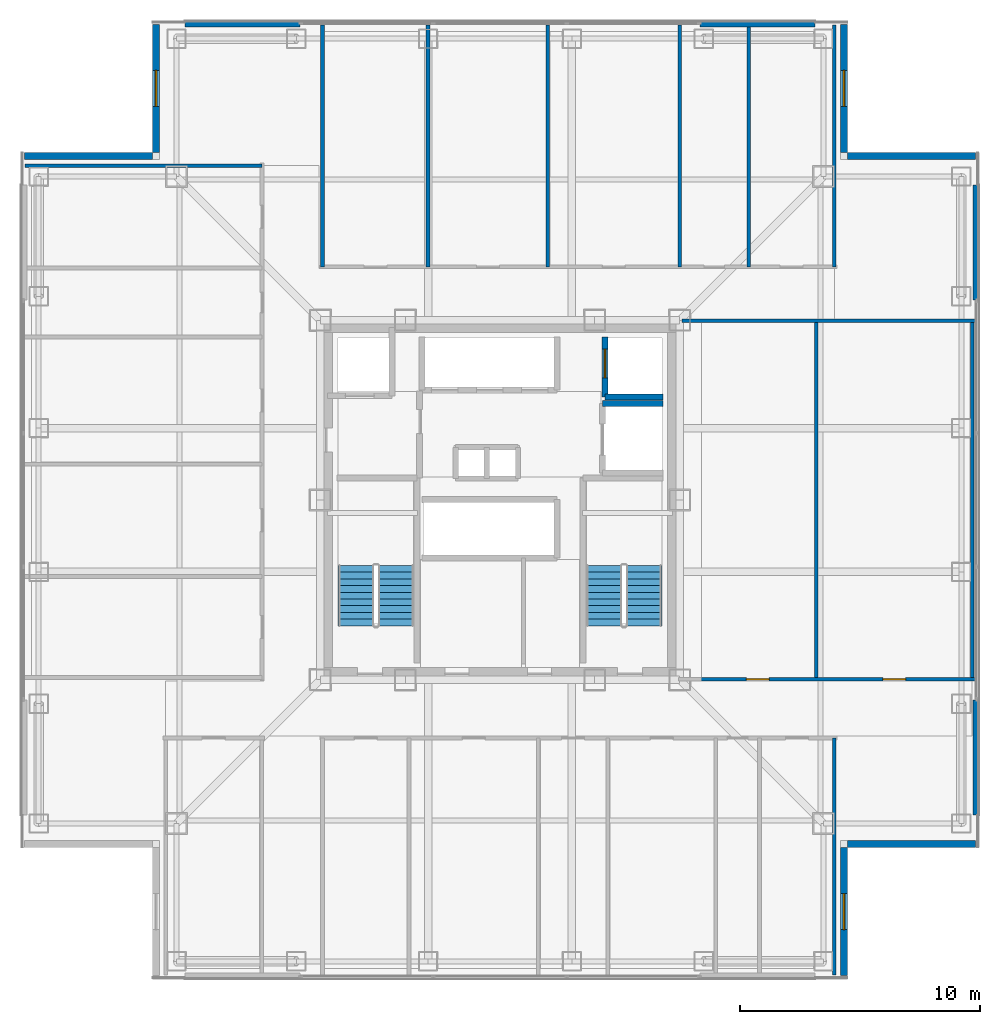
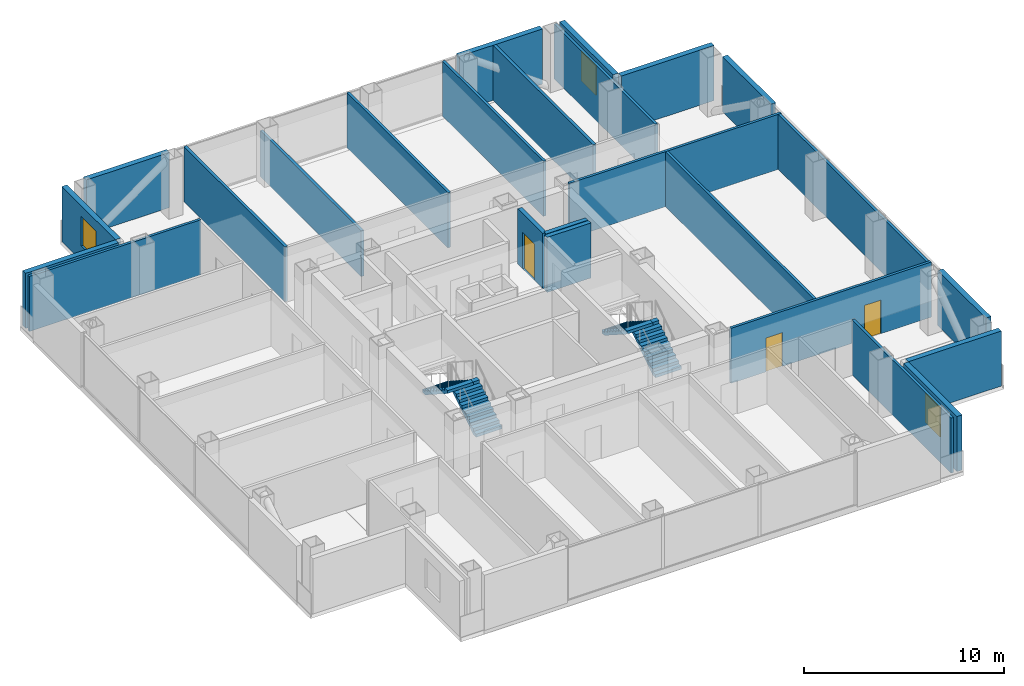
# One storey, part 11 of 17: 25 walls, 4 stair flights, 3 doors, 3 windows, 6 openings, 2 elements without a shape of their own.
"""IFC4 building model written with IfcOpenShell, lengths in metres."""

from ifc_helpers import new_model, si_unit, direction, frame, frame_2d, origin, place, context, subcontext, project, spatial, polyline, rectangle, outline, extrude, material, layer, layer_set, type_object, element, fill, aggregate, save


model = new_model("IFC4")

# Units and contexts
model_context = context("Model", 3, precision=1e-05, world=origin(), true_north=direction((0.0, 1.0)))
body_context = subcontext(model_context, "Body", "Model", "MODEL_VIEW")
ifc_project = project(units=[si_unit("LENGTHUNIT", "METRE"), si_unit("AREAUNIT", "SQUARE_METRE"), si_unit("VOLUMEUNIT", "CUBIC_METRE"), si_unit("PLANEANGLEUNIT", "RADIAN"), si_unit("MASSUNIT", "GRAM", prefix="KILO")], contexts=[model_context])

# Site, building, storey
site_placement = place(None, origin())
site = spatial("IfcSite", under=ifc_project, at=site_placement, CompositionType="ELEMENT")
building_placement = place(site_placement, origin())
building = spatial("IfcBuilding", under=site, at=building_placement, Name="Trevonay Congress Spire", CompositionType="ELEMENT")
storey_placement = place(building_placement, frame((0.0, 0.0, 169.800048828125)))
storey = spatial("IfcBuildingStorey", under=building, at=storey_placement, Name="L43", CompositionType="ELEMENT", Elevation=169.800048828125)

# Wall, openings, doors
ifc_material_1 = material(Name="Concrete C40/50", Category="concrete")
ifc_layer_1 = layer(ifc_material_1, 0.14990234375, Name="Concrete C40/50")
ifc_layer_set_1 = layer_set([ifc_layer_1], Name="Concrete C40/50")
wall_type_1 = type_object("IfcWallType", Name="WAL-CORR-150", PredefinedType="PARTITIONING", material=ifc_layer_set_1)
wall_1_placement = place(storey_placement, frame((8.280029296875, -7.47998046875, 0.0), z_axis=(0.0, 0.0, 1.0), x_axis=(1.0, 0.0, 0.0)))
wall_1 = element("IfcWall", 1, at=wall_1_placement, inside=storey, type_object=wall_type_1, Name="L43 interior wall WP-L43E-COR", PredefinedType="PARTITIONING", context=body_context, shape_type="SweptSolid", body=[
    extrude(rectangle(XDim=11.5400390625, YDim=0.14990234375, at=frame_2d((5.77001953125, 0.0))), origin(), (0.0, 0.0, 1.0), 3.35986328125),
])
opening_1_placement = place(wall_1_placement, frame((2.0048828125, 0.0, 0.0)))
opening_1 = element("IfcOpeningElement", 2, at=opening_1_placement, cuts=wall_1, Name="Opening D07", PredefinedType="OPENING", context=body_context, shape_type="SweptSolid", body=[
    extrude(rectangle(XDim=0.949951171875, YDim=2.06005859375, at=frame_2d((0.47509765625, 1.030029296875))), frame((0.0, 0.0849609375, 0.0), z_axis=(0.0, -1.0, 0.0), x_axis=(1.0, 0.0, 0.0)), (0.0, 0.0, 1.0), 0.169921875),
])
opening_2_placement = place(wall_1_placement, frame((7.695068359375, 0.0, 0.0)))
opening_2 = element("IfcOpeningElement", 3, at=opening_2_placement, cuts=wall_1, Name="Opening D07", PredefinedType="OPENING", context=body_context, shape_type="SweptSolid", body=[
    extrude(rectangle(XDim=0.949951171875, YDim=2.06005859375, at=frame_2d((0.47509765625, 1.030029296875))), frame((0.0, 0.0849609375, 0.0), z_axis=(0.0, -1.0, 0.0), x_axis=(1.0, 0.0, 0.0)), (0.0, 0.0, 1.0), 0.169921875),
])
ifc_material_2 = material(Name="Pale Anodised Aluminium EN AW-6063-T6", Category="aluminium")
door_type_1 = type_object("IfcDoorType", Name="DOR-OFFICE-95", OperationType="NOTDEFINED", PredefinedType="DOOR", material=ifc_material_2)
door_1_placement = place(opening_1_placement, origin())
door_1 = element("IfcDoor", 4, at=door_1_placement, inside=storey, type_object=door_type_1, Name="L43 Chambers Espresso Kitchen Door", OperationType="SINGLE_SWING_RIGHT", OverallHeight=2.06005859375, OverallWidth=0.949951171875, PredefinedType="DOOR", context=body_context, shape_type="SweptSolid", body=[
    extrude(rectangle(XDim=0.949951171875, YDim=2.06005859375, at=frame_2d((0.47509765625, 1.030029296875))), frame((0.0, 0.02490234375, 0.0), z_axis=(0.0, -1.0, 0.0), x_axis=(1.0, 0.0, 0.0)), (0.0, 0.0, 1.0), 0.050048828125),
])
fill(opening_1, door_1)
door_2_placement = place(opening_2_placement, origin())
door_2 = element("IfcDoor", 5, at=door_2_placement, inside=storey, type_object=door_type_1, Name="L43 Law Copy Room Door", OperationType="SINGLE_SWING_LEFT", OverallHeight=2.06005859375, OverallWidth=0.949951171875, PredefinedType="DOOR", context=body_context, shape_type="SweptSolid", body=[
    extrude(rectangle(XDim=0.949951171875, YDim=2.06005859375, at=frame_2d((0.47509765625, 1.030029296875))), frame((0.0, 0.02490234375, 0.0), z_axis=(0.0, -1.0, 0.0), x_axis=(1.0, 0.0, 0.0)), (0.0, 0.0, 1.0), 0.050048828125),
])
fill(opening_2, door_2)

# Walls
ifc_material_3 = material(Name="Precast concrete C40/50", Category="concrete")
ifc_layer_2 = layer(ifc_material_3, 0.300048828125, Name="Precast concrete C40/50")
ifc_layer_set_2 = layer_set([ifc_layer_2], Name="Precast concrete C40/50")
wall_type_2 = type_object("IfcWallType", Name="WAL-EXT-PRECAST-300", PredefinedType="SOLIDWALL", material=ifc_layer_set_2)
for number, where, z_axis, x_axis, name in (
    (6, (-13.14990234375, 19.8798828125, 0.0), (0.0, 0.0, 1.0), (1.0, 0.0, 0.0), "L43 NL braced-bay exterior pier wall"),
    (7, (8.35009765625, 19.8798828125, 0.0), (0.0, 0.0, 1.0), (1.0, 0.0, 0.0), "L43 NR braced-bay exterior pier wall"),
    (8, (19.8798828125, -13.14990234375, 0.0), (0.0, 0.0, 1.0), (0.0, 1.0, 0.0), "L43 EL braced-bay exterior pier wall"),
    (9, (19.8798828125, 8.35009765625, 0.0), (0.0, 0.0, 1.0), (0.0, 1.0, 0.0), "L43 ER braced-bay exterior pier wall"),
):
    element("IfcWall", number, at=place(storey_placement, frame(where, z_axis=z_axis, x_axis=x_axis)), inside=storey, type_object=wall_type_2, Name=name, PredefinedType="SOLIDWALL", context=body_context, shape_type="SweptSolid", body=[
        extrude(rectangle(XDim=4.7998046875, YDim=0.300048828125, at=frame_2d((2.39990234375, 0.0))), origin(), (0.0, 0.0, 1.0), 3.35986328125),
    ])

# Wall, opening, window
wall_2_placement = place(storey_placement, frame((14.35009765625, -19.85009765625, 0.0), z_axis=(0.0, 0.0, 1.0), x_axis=(0.0, 1.0, 0.0)))
wall_2 = element("IfcWall", 10, at=wall_2_placement, inside=storey, type_object=wall_type_2, Name="L43 SE re-entrant notch exterior wall 1", PredefinedType="SOLIDWALL", context=body_context, shape_type="SweptSolid", body=[
    extrude(rectangle(XDim=5.35009765625, YDim=0.300048828125, at=frame_2d((2.675048828125, 0.0))), origin(), (0.0, 0.0, 1.0), 3.35986328125),
])
opening_3_placement = place(wall_2_placement, frame((1.925048828125, 0.0, 0.89990234375)))
opening_3 = element("IfcOpeningElement", 11, at=opening_3_placement, cuts=wall_2, Name="Opening WN03", PredefinedType="OPENING", context=body_context, shape_type="SweptSolid", body=[
    extrude(rectangle(XDim=1.5, YDim=1.800048828125, at=frame_2d((0.75, 0.89990234375))), frame((0.0, 0.16015625, 0.0), z_axis=(0.0, -1.0, 0.0), x_axis=(1.0, 0.0, 0.0)), (0.0, 0.0, 1.0), 0.320068359375),
])
ifc_material_4 = material(Name="Insulated Low-E Vision Glass IGU", Category="glass")
window_type = type_object("IfcWindowType", Name="WIN-NOTCH-150X180", PartitioningType="SINGLE_PANEL", PredefinedType="WINDOW", material=ifc_material_4)
window_1_placement = place(opening_3_placement, origin())
window_1 = element("IfcWindow", 12, at=window_1_placement, inside=storey, type_object=window_type, Name="L43 SE corner notch window", OverallHeight=1.800048828125, OverallWidth=1.5, PartitioningType="SINGLE_PANEL", PredefinedType="WINDOW", context=body_context, shape_type="SweptSolid", body=[
    extrude(rectangle(XDim=1.5, YDim=1.800048828125, at=frame_2d((0.75, 0.89990234375))), frame((0.0, 0.030029296875, 0.0), z_axis=(0.0, -1.0, 0.0), x_axis=(1.0, 0.0, 0.0)), (0.0, 0.0, 1.0), 0.06005859375),
])
fill(opening_3, window_1)

# Wall
wall_3_placement = place(storey_placement, frame((19.85009765625, -14.35009765625, 0.0), z_axis=(0.0, 0.0, 1.0), x_axis=(-1.0, 0.0, 0.0)))
element("IfcWall", 13, at=wall_3_placement, inside=storey, type_object=wall_type_2, Name="L43 SE re-entrant notch exterior wall 2", PredefinedType="SOLIDWALL", context=body_context, shape_type="SweptSolid", body=[
    extrude(rectangle(XDim=5.35009765625, YDim=0.300048828125, at=frame_2d((2.675048828125, 0.0))), origin(), (0.0, 0.0, 1.0), 3.35986328125),
])

# Wall, opening, window
wall_4_placement = place(storey_placement, frame((14.35009765625, 19.85009765625, 0.0), z_axis=(0.0, 0.0, 1.0), x_axis=(0.0, -1.0, 0.0)))
wall_4 = element("IfcWall", 14, at=wall_4_placement, inside=storey, type_object=wall_type_2, Name="L43 NE re-entrant notch exterior wall 1", PredefinedType="SOLIDWALL", context=body_context, shape_type="SweptSolid", body=[
    extrude(rectangle(XDim=5.35009765625, YDim=0.300048828125, at=frame_2d((2.675048828125, 0.0))), origin(), (0.0, 0.0, 1.0), 3.35986328125),
])
opening_4_placement = place(wall_4_placement, frame((1.925048828125, 0.0, 0.89990234375)))
opening_4 = element("IfcOpeningElement", 15, at=opening_4_placement, cuts=wall_4, Name="Opening WN03", PredefinedType="OPENING", context=body_context, shape_type="SweptSolid", body=[
    extrude(rectangle(XDim=1.5, YDim=1.800048828125, at=frame_2d((0.75, 0.89990234375))), frame((0.0, 0.16015625, 0.0), z_axis=(0.0, -1.0, 0.0), x_axis=(1.0, 0.0, 0.0)), (0.0, 0.0, 1.0), 0.320068359375),
])
window_2_placement = place(opening_4_placement, origin())
window_2 = element("IfcWindow", 16, at=window_2_placement, inside=storey, type_object=window_type, Name="L43 NE corner notch window", OverallHeight=1.800048828125, OverallWidth=1.5, PartitioningType="SINGLE_PANEL", PredefinedType="WINDOW", context=body_context, shape_type="SweptSolid", body=[
    extrude(rectangle(XDim=1.5, YDim=1.800048828125, at=frame_2d((0.75, 0.89990234375))), frame((0.0, 0.030029296875, 0.0), z_axis=(0.0, -1.0, 0.0), x_axis=(1.0, 0.0, 0.0)), (0.0, 0.0, 1.0), 0.06005859375),
])
fill(opening_4, window_2)

# Wall
wall_5_placement = place(storey_placement, frame((19.85009765625, 14.35009765625, 0.0), z_axis=(0.0, 0.0, 1.0), x_axis=(-1.0, 0.0, 0.0)))
element("IfcWall", 17, at=wall_5_placement, inside=storey, type_object=wall_type_2, Name="L43 NE re-entrant notch exterior wall 2", PredefinedType="SOLIDWALL", context=body_context, shape_type="SweptSolid", body=[
    extrude(rectangle(XDim=5.35009765625, YDim=0.300048828125, at=frame_2d((2.675048828125, 0.0))), origin(), (0.0, 0.0, 1.0), 3.35986328125),
])

# Wall, opening, window
wall_6_placement = place(storey_placement, frame((-14.35009765625, 19.85009765625, 0.0), z_axis=(0.0, 0.0, 1.0), x_axis=(0.0, -1.0, 0.0)))
wall_6 = element("IfcWall", 18, at=wall_6_placement, inside=storey, type_object=wall_type_2, Name="L43 NW re-entrant notch exterior wall 1", PredefinedType="SOLIDWALL", context=body_context, shape_type="SweptSolid", body=[
    extrude(rectangle(XDim=5.35009765625, YDim=0.300048828125, at=frame_2d((2.675048828125, 0.0))), origin(), (0.0, 0.0, 1.0), 3.35986328125),
])
opening_5_placement = place(wall_6_placement, frame((1.925048828125, 0.0, 0.89990234375)))
opening_5 = element("IfcOpeningElement", 19, at=opening_5_placement, cuts=wall_6, Name="Opening WN03", PredefinedType="OPENING", context=body_context, shape_type="SweptSolid", body=[
    extrude(rectangle(XDim=1.5, YDim=1.800048828125, at=frame_2d((0.75, 0.89990234375))), frame((0.0, 0.16015625, 0.0), z_axis=(0.0, -1.0, 0.0), x_axis=(1.0, 0.0, 0.0)), (0.0, 0.0, 1.0), 0.320068359375),
])
window_3_placement = place(opening_5_placement, origin())
window_3 = element("IfcWindow", 20, at=window_3_placement, inside=storey, type_object=window_type, Name="L43 NW corner notch window", OverallHeight=1.800048828125, OverallWidth=1.5, PartitioningType="SINGLE_PANEL", PredefinedType="WINDOW", context=body_context, shape_type="SweptSolid", body=[
    extrude(rectangle(XDim=1.5, YDim=1.800048828125, at=frame_2d((0.75, 0.89990234375))), frame((0.0, 0.030029296875, 0.0), z_axis=(0.0, -1.0, 0.0), x_axis=(1.0, 0.0, 0.0)), (0.0, 0.0, 1.0), 0.06005859375),
])
fill(opening_5, window_3)

# Walls
wall_7_placement = place(storey_placement, frame((-19.85009765625, 14.35009765625, 0.0), z_axis=(0.0, 0.0, 1.0), x_axis=(1.0, 0.0, 0.0)))
element("IfcWall", 21, at=wall_7_placement, inside=storey, type_object=wall_type_2, Name="L43 NW re-entrant notch exterior wall 2", PredefinedType="SOLIDWALL", context=body_context, shape_type="SweptSolid", body=[
    extrude(rectangle(XDim=5.35009765625, YDim=0.300048828125, at=frame_2d((2.675048828125, 0.0))), origin(), (0.0, 0.0, 1.0), 3.35986328125),
])
ifc_layer_3 = layer(ifc_material_1, 0.14990234375, Name="Concrete C40/50")
ifc_layer_set_3 = layer_set([ifc_layer_3], Name="Concrete C40/50")
wall_type_3 = type_object("IfcWallType", Name="WAL-PART-150", PredefinedType="PARTITIONING", material=ifc_layer_set_3)
for number, where, z_axis, x_axis, name in (
    (22, (13.949951171875, -19.820068359375, 0.0), (0.0, 0.0, 1.0), (0.0, 1.0, 0.0), "L43 interior wall WP-L43SE-DIV6"),
    (23, (-19.820068359375, 13.949951171875, 0.0), (0.0, 0.0, 1.0), (1.0, 0.0, 0.0), "L43 interior wall WP-L43NW-DIV5"),
):
    element("IfcWall", number, at=place(storey_placement, frame(where, z_axis=z_axis, x_axis=x_axis)), inside=storey, type_object=wall_type_3, Name=name, PredefinedType="PARTITIONING", context=body_context, shape_type="SweptSolid", body=[
        extrude(rectangle(XDim=9.89013671875, YDim=0.14990234375, at=frame_2d((4.945068359375, 0.0))), origin(), (0.0, 0.0, 1.0), 3.35986328125),
    ])
for number, where, z_axis, x_axis, name in (
    (24, (2.0, 9.72998046875, 0.0), (0.0, 0.0, 1.0), (0.0, 1.0, 0.0), "L43 interior wall WP-L43N-DIV3"),
    (25, (7.5, 9.72998046875, 0.0), (0.0, 0.0, 1.0), (0.0, 1.0, 0.0), "L43 interior wall WP-L43N-DIV4"),
    (26, (13.949951171875, 9.72998046875, 0.0), (0.0, 0.0, 1.0), (0.0, 1.0, 0.0), "L43 interior wall WP-L43N-DIV5"),
):
    element("IfcWall", number, at=place(storey_placement, frame(where, z_axis=z_axis, x_axis=x_axis)), inside=storey, type_object=wall_type_3, Name=name, PredefinedType="PARTITIONING", context=body_context, shape_type="SweptSolid", body=[
        extrude(rectangle(XDim=10.090087890625, YDim=0.14990234375, at=frame_2d((5.044921875, 0.0))), origin(), (0.0, 0.0, 1.0), 3.35986328125),
    ])
for number, where, z_axis, x_axis, name in (
    (27, (13.199951171875, -7.47998046875, 0.0), (0.0, 0.0, 1.0), (0.0, 1.0, 0.0), "L43 interior wall WP-L43E-DIV1"),
    (28, (19.699951171875, -7.47998046875, 0.0), (0.0, 0.0, 1.0), (0.0, 1.0, 0.0), "L43 interior wall WP-L43E-DIV2"),
):
    element("IfcWall", number, at=place(storey_placement, frame(where, z_axis=z_axis, x_axis=x_axis)), inside=storey, type_object=wall_type_3, Name=name, PredefinedType="PARTITIONING", context=body_context, shape_type="SweptSolid", body=[
        extrude(rectangle(XDim=14.89990234375, YDim=0.14990234375, at=frame_2d((7.449951171875, 0.0))), origin(), (0.0, 0.0, 1.0), 3.35986328125),
    ])
wall_8_placement = place(storey_placement, frame((7.60009765625, 7.47998046875, 0.0), z_axis=(0.0, 0.0, 1.0), x_axis=(1.0, 0.0, 0.0)))
element("IfcWall", 29, at=wall_8_placement, inside=storey, type_object=wall_type_3, Name="L43 interior wall WP-L43E-NCLS", PredefinedType="PARTITIONING", context=body_context, shape_type="SweptSolid", body=[
    extrude(rectangle(XDim=12.219970703125, YDim=0.14990234375, at=frame_2d((6.10986328125, 0.0))), origin(), (0.0, 0.0, 1.0), 3.35986328125),
])
ifc_layer_4 = layer(ifc_material_1, 0.25, Name="Concrete C40/50")
ifc_layer_set_4 = layer_set([ifc_layer_4], Name="Concrete C40/50")
wall_type_4 = type_object("IfcWallType", Name="WAL-SHAFT-250", PredefinedType="SHEAR", material=ifc_layer_set_4)
wall_9_placement = place(storey_placement, frame((4.3798828125, 4.300048828125, 0.0), z_axis=(0.0, 0.0, 1.0), x_axis=(1.0, 0.0, 0.0)))
element("IfcWall", 30, at=wall_9_placement, inside=storey, type_object=wall_type_4, Name="L43 interior shaft wall WSH-L43-FF2-S", PredefinedType="SHEAR", context=body_context, shape_type="SweptSolid", body=[
    extrude(rectangle(XDim=2.420166015625, YDim=0.25, at=frame_2d((1.2099609375, 0.0))), origin(), (0.0, 0.0, 1.0), 3.35986328125),
])

# Wall, opening, door
wall_10_placement = place(storey_placement, frame((4.3798828125, 4.300048828125, 0.0), z_axis=(0.0, 0.0, 1.0), x_axis=(0.0, 1.0, 0.0)))
wall_10 = element("IfcWall", 31, at=wall_10_placement, inside=storey, type_object=wall_type_4, Name="L43 interior shaft wall WSH-L43-FF2-W", PredefinedType="SHEAR", context=body_context, shape_type="SweptSolid", body=[
    extrude(rectangle(XDim=2.5, YDim=0.25, at=frame_2d((1.25, 0.0))), origin(), (0.0, 0.0, 1.0), 3.35986328125),
])
opening_6_placement = place(wall_10_placement, frame((0.800048828125, 0.0, 0.0)))
opening_6 = element("IfcOpeningElement", 32, at=opening_6_placement, cuts=wall_10, Name="Opening LD04", PredefinedType="OPENING", context=body_context, shape_type="SweptSolid", body=[
    extrude(rectangle(XDim=1.199951171875, YDim=2.199951171875, at=frame_2d((0.60009765625, 1.10009765625))), frame((0.0, 0.135009765625, 0.0), z_axis=(0.0, -1.0, 0.0), x_axis=(1.0, 0.0, 0.0)), (0.0, 0.0, 1.0), 0.27001953125),
])
ifc_material_5 = material(Name="Steel ASTM A572 Grade 50", Category="steel")
door_type_2 = type_object("IfcDoorType", Name="DOR-LIFT-LD04", OperationType="DOUBLE_DOOR_SLIDING", PredefinedType="DOOR", material=ifc_material_5)
door_3_placement = place(opening_6_placement, origin())
door_3 = element("IfcDoor", 33, at=door_3_placement, inside=storey, type_object=door_type_2, Name="L43 Firefighting lift FFL-02 landing door", OperationType="DOUBLE_DOOR_SLIDING", OverallHeight=2.199951171875, OverallWidth=1.199951171875, PredefinedType="DOOR", context=body_context, shape_type="SweptSolid", body=[
    extrude(rectangle(XDim=1.199951171875, YDim=2.199951171875, at=frame_2d((0.60009765625, 1.10009765625))), frame((0.0, 0.02490234375, 0.0), z_axis=(0.0, -1.0, 0.0), x_axis=(1.0, 0.0, 0.0)), (0.0, 0.0, 1.0), 0.050048828125),
])
fill(opening_6, door_3)

# Walls
wall_11_placement = place(storey_placement, frame((4.280029296875, 4.02001953125, 0.0), z_axis=(0.0, 0.0, 1.0), x_axis=(1.0, 0.0, 0.0)))
element("IfcWall", 34, at=wall_11_placement, inside=storey, type_object=wall_type_4, Name="L43 interior shaft wall WSH-L43-SV-N", PredefinedType="SHEAR", context=body_context, shape_type="SweptSolid", body=[
    extrude(rectangle(XDim=2.52001953125, YDim=0.25, at=frame_2d((1.260009765625, 0.0))), origin(), (0.0, 0.0, 1.0), 3.35986328125),
])
ifc_layer_5 = layer(ifc_material_1, 0.1650390625, Name="Concrete C40/50")
ifc_layer_set_5 = layer_set([ifc_layer_5], Name="Concrete C40/50")
wall_type_5 = type_object("IfcWallType", Name="WAL-WET-165", PredefinedType="PLUMBINGWALL", material=ifc_layer_set_5)
for number, where, z_axis, x_axis, name in (
    (35, (10.3798828125, 9.72998046875, 0.0), (0.0, 0.0, 1.0), (0.0, 1.0, 0.0), "L43 interior wall WP-L43N-WCS4"),
    (36, (-7.39990234375, 9.72998046875, 0.0), (0.0, 0.0, 1.0), (0.0, 1.0, 0.0), "L43 interior wall WP-L43N-DIV1"),
):
    element("IfcWall", number, at=place(storey_placement, frame(where, z_axis=z_axis, x_axis=x_axis)), inside=storey, type_object=wall_type_5, Name=name, PredefinedType="PLUMBINGWALL", context=body_context, shape_type="SweptSolid", body=[
        extrude(rectangle(XDim=10.090087890625, YDim=0.1650390625, at=frame_2d((5.044921875, 0.0))), origin(), (0.0, 0.0, 1.0), 3.35986328125),
    ])
wall_12_placement = place(storey_placement, frame((-3.0, 9.72998046875, 0.0), z_axis=(0.0, 0.0, 1.0), x_axis=(0.0, 1.0, 0.0)))
element("IfcWall", 37, at=wall_12_placement, inside=storey, type_object=wall_type_5, Name="L43 interior wall WP-L43N-DIV2", PredefinedType="PLUMBINGWALL", context=body_context, shape_type="SweptSolid", body=[
    extrude(rectangle(XDim=10.090087890625, YDim=0.1650390625, at=frame_2d((5.044921875, 0.0))), origin(), (0.0, 0.0, 1.0), 2.7919921875),
])

# Stair, stair flights
stair_type_1 = type_object("IfcStairType", Name="STR-ST-1", PredefinedType="HALF_TURN_STAIR", material=ifc_material_1)
stair_1_placement = place(storey_placement, origin())
stair_1 = element("IfcStair", 38, at=stair_1_placement, inside=storey, type_object=stair_type_1, Name="L43 Protected Exit Stair ST-1", PredefinedType="HALF_TURN_STAIR")
stair_flight_type_1 = type_object("IfcStairFlightType", Name="SFL-ST-1", PredefinedType="STRAIGHT", material=ifc_material_1)
stair_flight_1_placement = place(storey_placement, frame((-4.35009765625, -5.25, 0.0), z_axis=(0.0, 0.0, 1.0), x_axis=(0.0, 1.0, 0.0)))
stair_flight_1 = element("IfcStairFlight", 39, at=stair_flight_1_placement, type_object=stair_flight_type_1, Name="ST-1 flight 1", NumberOfRisers=10, NumberOfTreads=9, PredefinedType="STRAIGHT", RiserHeight=0.18, TreadLength=0.28, context=body_context, shape_type="SweptSolid", body=[
    extrude(outline(polyline([(0.0, 0.0), (0.0, 0.179931640625), (0.280029296875, 0.179931640625), (0.280029296875, 0.360107421875), (0.56005859375, 0.360107421875), (0.56005859375, 0.5400390625), (0.840087890625, 0.5400390625), (0.840087890625, 0.719970703125), (1.1201171875, 0.719970703125), (1.1201171875, 0.89990234375), (1.39990234375, 0.89990234375), (1.39990234375, 1.080078125), (1.679931640625, 1.080078125), (1.679931640625, 1.260009765625), (1.9599609375, 1.260009765625), (1.9599609375, 1.43994140625), (2.239990234375, 1.43994140625), (2.239990234375, 1.6201171875), (2.52001953125, 1.6201171875), (2.52001953125, 1.800048828125), (2.52001953125, 1.44189453125), (0.277099609375, 0.0), (0.0, 0.0)])), frame((0.0, 0.75, 0.0), z_axis=(0.0, -1.0, 0.0), x_axis=(1.0, 0.0, 0.0)), (0.0, 0.0, 1.0), 1.5),
])
stair_flight_2_placement = place(storey_placement, frame((-6.0, -2.72998046875, 1.800048828125), z_axis=(0.0, 0.0, 1.0), x_axis=(0.0, -1.0, 0.0)))
stair_flight_2 = element("IfcStairFlight", 40, at=stair_flight_2_placement, type_object=stair_flight_type_1, Name="ST-1 flight 2", NumberOfRisers=10, NumberOfTreads=9, PredefinedType="STRAIGHT", RiserHeight=0.18, TreadLength=0.28, context=body_context, shape_type="SweptSolid", body=[
    extrude(outline(polyline([(0.0, 0.0), (0.0, 0.179931640625), (0.280029296875, 0.179931640625), (0.280029296875, 0.360107421875), (0.56005859375, 0.360107421875), (0.56005859375, 0.5400390625), (0.840087890625, 0.5400390625), (0.840087890625, 0.719970703125), (1.1201171875, 0.719970703125), (1.1201171875, 0.89990234375), (1.39990234375, 0.89990234375), (1.39990234375, 1.080078125), (1.679931640625, 1.080078125), (1.679931640625, 1.260009765625), (1.9599609375, 1.260009765625), (1.9599609375, 1.43994140625), (2.239990234375, 1.43994140625), (2.239990234375, 1.6201171875), (2.52001953125, 1.6201171875), (2.52001953125, 1.800048828125), (2.52001953125, 1.44189453125), (0.277099609375, 0.0), (0.0, 0.0)])), frame((0.0, 0.75, 0.0), z_axis=(0.0, -1.0, 0.0), x_axis=(1.0, 0.0, 0.0)), (0.0, 0.0, 1.0), 1.5),
])
aggregate(stair_1, [stair_flight_1, stair_flight_2])

stair_type_2 = type_object("IfcStairType", Name="STR-ST-2", PredefinedType="HALF_TURN_STAIR", material=ifc_material_1)
stair_2_placement = place(storey_placement, origin())
stair_2 = element("IfcStair", 41, at=stair_2_placement, inside=storey, type_object=stair_type_2, Name="L43 Protected Exit Stair ST-2", PredefinedType="HALF_TURN_STAIR")
stair_flight_type_2 = type_object("IfcStairFlightType", Name="SFL-ST-2", PredefinedType="STRAIGHT", material=ifc_material_1)
stair_flight_3_placement = place(storey_placement, frame((6.0, -5.25, 0.0), z_axis=(0.0, 0.0, 1.0), x_axis=(0.0, 1.0, 0.0)))
stair_flight_3 = element("IfcStairFlight", 42, at=stair_flight_3_placement, type_object=stair_flight_type_2, Name="ST-2 flight 1", NumberOfRisers=10, NumberOfTreads=9, PredefinedType="STRAIGHT", RiserHeight=0.18, TreadLength=0.28, context=body_context, shape_type="SweptSolid", body=[
    extrude(outline(polyline([(0.0, 0.0), (0.0, 0.179931640625), (0.280029296875, 0.179931640625), (0.280029296875, 0.360107421875), (0.56005859375, 0.360107421875), (0.56005859375, 0.5400390625), (0.840087890625, 0.5400390625), (0.840087890625, 0.719970703125), (1.1201171875, 0.719970703125), (1.1201171875, 0.89990234375), (1.39990234375, 0.89990234375), (1.39990234375, 1.080078125), (1.679931640625, 1.080078125), (1.679931640625, 1.260009765625), (1.9599609375, 1.260009765625), (1.9599609375, 1.43994140625), (2.239990234375, 1.43994140625), (2.239990234375, 1.6201171875), (2.52001953125, 1.6201171875), (2.52001953125, 1.800048828125), (2.52001953125, 1.44189453125), (0.277099609375, 0.0), (0.0, 0.0)])), frame((0.0, 0.75, 0.0), z_axis=(0.0, -1.0, 0.0), x_axis=(1.0, 0.0, 0.0)), (0.0, 0.0, 1.0), 1.5),
])
stair_flight_4_placement = place(storey_placement, frame((4.35009765625, -2.72998046875, 1.800048828125), z_axis=(0.0, 0.0, 1.0), x_axis=(0.0, -1.0, 0.0)))
stair_flight_4 = element("IfcStairFlight", 43, at=stair_flight_4_placement, type_object=stair_flight_type_2, Name="ST-2 flight 2", NumberOfRisers=10, NumberOfTreads=9, PredefinedType="STRAIGHT", RiserHeight=0.18, TreadLength=0.28, context=body_context, shape_type="SweptSolid", body=[
    extrude(outline(polyline([(0.0, 0.0), (0.0, 0.179931640625), (0.280029296875, 0.179931640625), (0.280029296875, 0.360107421875), (0.56005859375, 0.360107421875), (0.56005859375, 0.5400390625), (0.840087890625, 0.5400390625), (0.840087890625, 0.719970703125), (1.1201171875, 0.719970703125), (1.1201171875, 0.89990234375), (1.39990234375, 0.89990234375), (1.39990234375, 1.080078125), (1.679931640625, 1.080078125), (1.679931640625, 1.260009765625), (1.9599609375, 1.260009765625), (1.9599609375, 1.43994140625), (2.239990234375, 1.43994140625), (2.239990234375, 1.6201171875), (2.52001953125, 1.6201171875), (2.52001953125, 1.800048828125), (2.52001953125, 1.44189453125), (0.277099609375, 0.0), (0.0, 0.0)])), frame((0.0, 0.75, 0.0), z_axis=(0.0, -1.0, 0.0), x_axis=(1.0, 0.0, 0.0)), (0.0, 0.0, 1.0), 1.5),
])
aggregate(stair_2, [stair_flight_3, stair_flight_4])

save(model, "model.ifc")
